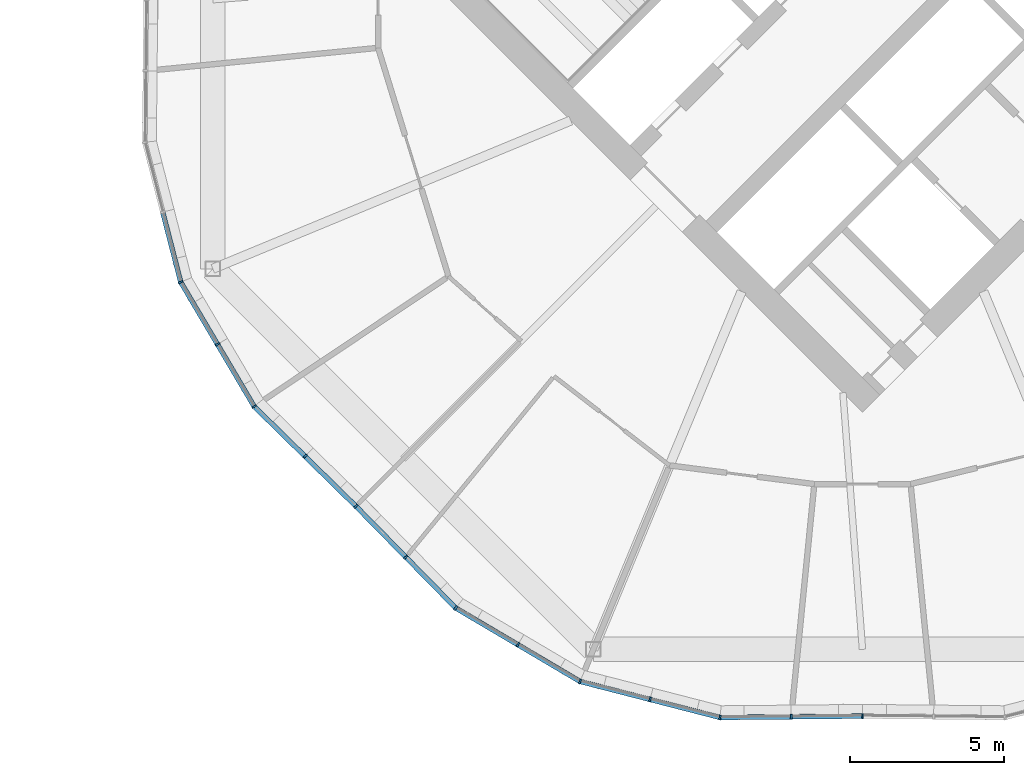
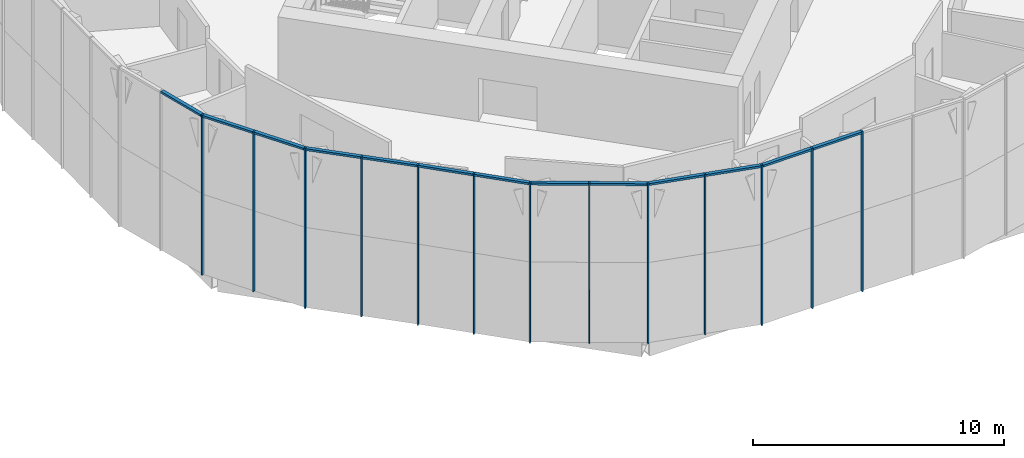
# One storey, part 10 of 31: 26 members, 2 elements without a shape of their own.
"""IFC4 building model written with IfcOpenShell, lengths in metres."""

from ifc_helpers import new_model, si_unit, direction, frame, origin, origin_2d, place, context, subcontext, project, spatial, rectangle, extrude, material, material_profile, profile_set, type_object, element, aggregate, save


model = new_model("IFC4")

# Units and contexts
model_context = context("Model", 3, precision=1e-05, world=origin(), true_north=direction((0.0, 1.0)))
body_context = subcontext(model_context, "Body", "Model", "MODEL_VIEW")
ifc_project = project(units=[si_unit("LENGTHUNIT", "METRE"), si_unit("AREAUNIT", "SQUARE_METRE"), si_unit("VOLUMEUNIT", "CUBIC_METRE"), si_unit("PLANEANGLEUNIT", "RADIAN"), si_unit("MASSUNIT", "GRAM", prefix="KILO")], contexts=[model_context])

# Site, building, storey
site_placement = place(None, origin())
site = spatial("IfcSite", under=ifc_project, at=site_placement, CompositionType="ELEMENT")
building_placement = place(site_placement, origin())
building = spatial("IfcBuilding", under=site, at=building_placement, Name="Ogive Gate Towers", CompositionType="ELEMENT")
storey_placement = place(building_placement, frame((0.0, 0.0, 63.60009765625)))
storey = spatial("IfcBuildingStorey", under=building, at=storey_placement, Name="L14", CompositionType="ELEMENT", Elevation=63.60009765625)

# Curtain wall, members
ifc_material = material(Name="Pale metal aluminium", Category="aluminium")
curtain_wall_type = type_object("IfcCurtainWallType", Name="Tower unitised wall, low zone", PredefinedType="NOTDEFINED", material=ifc_material)
curtain_wall_1_placement = place(storey_placement, origin())
curtain_wall_1 = element("IfcCurtainWall", 1, at=curtain_wall_1_placement, inside=storey, type_object=curtain_wall_type, Name="CW1 T2 ECW06", PredefinedType="NOTDEFINED")
ifc_material_profile_1 = material_profile(ifc_material, rectangle(XDim=0.159912109375, YDim=0.06005859375, at=origin_2d()), Name="60 x 160 aluminium box")
ifc_profile_set_1 = profile_set([ifc_material_profile_1], Name="Pale metal aluminium")
member_type_1 = type_object("IfcMemberType", Name="Tower unitised wall, low zone mullion 60 x 160", PredefinedType="MULLION", material=ifc_profile_set_1)
member_1_placement = place(storey_placement, frame((19.50341796875, -16.4970703125, -0.300048828125), z_axis=(0.0, 0.0, 1.0), x_axis=(0.700299028189, 0.713849613797, 0.0)))
member_1 = element("IfcMember", 2, at=member_1_placement, type_object=member_type_1, Name="CW1 mullion", PredefinedType="MULLION", context=body_context, shape_type="SweptSolid", body=[
    extrude(rectangle(XDim=0.159912109375, YDim=0.06005859375, at=origin_2d()), origin(), (0.0, 0.0, 1.0), 7.800048828125),
])
member_2_placement = place(storey_placement, frame((17.847900390625, -14.873046875, -0.300048828125), z_axis=(0.0, 0.0, 1.0), x_axis=(0.700299028189, 0.713849613797, 0.0)))
member_2 = element("IfcMember", 3, at=member_2_placement, type_object=member_type_1, Name="CW1 mullion", PredefinedType="MULLION", context=body_context, shape_type="SweptSolid", body=[
    extrude(rectangle(XDim=0.159912109375, YDim=0.06005859375, at=origin_2d()), origin(), (0.0, 0.0, 1.0), 7.800048828125),
])
member_3_placement = place(storey_placement, frame((16.190673828125, -13.2470703125, -0.300048828125), z_axis=(0.0, 0.0, 1.0), x_axis=(0.787387121413, 0.616458855912, 0.0)))
member_3 = element("IfcMember", 4, at=member_3_placement, type_object=member_type_1, Name="CW1 mullion", PredefinedType="MULLION", context=body_context, shape_type="SweptSolid", body=[
    extrude(rectangle(XDim=0.159912109375, YDim=0.06005859375, at=origin_2d()), origin(), (0.0, 0.0, 1.0), 7.800048828125),
])
member_4_placement = place(storey_placement, frame((14.994384765625, -11.221923828125, -0.300048828125), z_axis=(0.0, 0.0, 1.0), x_axis=(0.86103507103, 0.508545579527, 0.0)))
member_4 = element("IfcMember", 5, at=member_4_placement, type_object=member_type_1, Name="CW1 mullion", PredefinedType="MULLION", context=body_context, shape_type="SweptSolid", body=[
    extrude(rectangle(XDim=0.159912109375, YDim=0.06005859375, at=origin_2d()), origin(), (0.0, 0.0, 1.0), 7.800048828125),
])
member_5_placement = place(storey_placement, frame((13.798095703125, -9.1962890625, -0.300048828125), z_axis=(0.0, 0.0, 1.0), x_axis=(0.923879532511, 0.382683432365, 0.0)))
member_5 = element("IfcMember", 6, at=member_5_placement, type_object=member_type_1, Name="CW1 mullion", PredefinedType="MULLION", context=body_context, shape_type="SweptSolid", body=[
    extrude(rectangle(XDim=0.159912109375, YDim=0.06005859375, at=origin_2d()), origin(), (0.0, 0.0, 1.0), 7.800048828125),
])

curtain_wall_2_placement = place(storey_placement, origin())
curtain_wall_2 = element("IfcCurtainWall", 7, at=curtain_wall_2_placement, inside=storey, type_object=curtain_wall_type, Name="CW1 T2 ECW07", PredefinedType="NOTDEFINED")
member_6_placement = place(storey_placement, frame((36.000244140625, -23.330078125, -0.300048828125), z_axis=(0.0, 0.0, 1.0), x_axis=(-0.009616615949, 0.99995375928, 0.0)))
member_6 = element("IfcMember", 8, at=member_6_placement, type_object=member_type_1, Name="CW1 mullion", PredefinedType="MULLION", context=body_context, shape_type="SweptSolid", body=[
    extrude(rectangle(XDim=0.159912109375, YDim=0.06005859375, at=origin_2d()), origin(), (0.0, 0.0, 1.0), 7.800048828125),
])
member_7_placement = place(storey_placement, frame((33.681396484375, -23.352294921875, -0.300048828125), z_axis=(0.0, 0.0, 1.0), x_axis=(-0.009599163462, 0.999953926969, 0.0)))
member_7 = element("IfcMember", 9, at=member_7_placement, type_object=member_type_1, Name="CW1 mullion", PredefinedType="MULLION", context=body_context, shape_type="SweptSolid", body=[
    extrude(rectangle(XDim=0.159912109375, YDim=0.06005859375, at=origin_2d()), origin(), (0.0, 0.0, 1.0), 7.800048828125),
])
member_8_placement = place(storey_placement, frame((31.35986328125, -23.37451171875, -0.300048828125), z_axis=(0.0, 0.0, 1.0), x_axis=(0.120864535632, 0.992669010308, 0.0)))
member_8 = element("IfcMember", 10, at=member_8_placement, type_object=member_type_1, Name="CW1 mullion", PredefinedType="MULLION", context=body_context, shape_type="SweptSolid", body=[
    extrude(rectangle(XDim=0.159912109375, YDim=0.06005859375, at=origin_2d()), origin(), (0.0, 0.0, 1.0), 7.800048828125),
])
member_9_placement = place(storey_placement, frame((29.081787109375, -22.788330078125, -0.300048828125), z_axis=(0.0, 0.0, 1.0), x_axis=(0.249247709738, 0.968439765391, 0.0)))
member_9 = element("IfcMember", 11, at=member_9_placement, type_object=member_type_1, Name="CW1 mullion", PredefinedType="MULLION", context=body_context, shape_type="SweptSolid", body=[
    extrude(rectangle(XDim=0.159912109375, YDim=0.06005859375, at=origin_2d()), origin(), (0.0, 0.0, 1.0), 7.800048828125),
])
member_10_placement = place(storey_placement, frame((26.8037109375, -22.201904296875, -0.300048828125), z_axis=(0.0, 0.0, 1.0), x_axis=(0.382683432365, 0.923879532511, 0.0)))
member_10 = element("IfcMember", 12, at=member_10_placement, type_object=member_type_1, Name="CW1 mullion", PredefinedType="MULLION", context=body_context, shape_type="SweptSolid", body=[
    extrude(rectangle(XDim=0.159912109375, YDim=0.06005859375, at=origin_2d()), origin(), (0.0, 0.0, 1.0), 7.800048828125),
])
member_11_placement = place(storey_placement, frame((24.778076171875, -21.005615234375, -0.300048828125), z_axis=(0.0, 0.0, 1.0), x_axis=(0.508545579527, 0.86103507103, 0.0)))
member_11 = element("IfcMember", 13, at=member_11_placement, type_object=member_type_1, Name="CW1 mullion", PredefinedType="MULLION", context=body_context, shape_type="SweptSolid", body=[
    extrude(rectangle(XDim=0.159912109375, YDim=0.06005859375, at=origin_2d()), origin(), (0.0, 0.0, 1.0), 7.800048828125),
])
member_12_placement = place(storey_placement, frame((22.7529296875, -19.809326171875, -0.300048828125), z_axis=(0.0, 0.0, 1.0), x_axis=(0.616458855912, 0.787387121413, 0.0)))
member_12 = element("IfcMember", 14, at=member_12_placement, type_object=member_type_1, Name="CW1 mullion", PredefinedType="MULLION", context=body_context, shape_type="SweptSolid", body=[
    extrude(rectangle(XDim=0.159912109375, YDim=0.06005859375, at=origin_2d()), origin(), (0.0, 0.0, 1.0), 7.800048828125),
])
member_13_placement = place(storey_placement, frame((21.126953125, -18.152099609375, -0.300048828125), z_axis=(0.0, 0.0, 1.0), x_axis=(0.713849613797, 0.700299028189, 0.0)))
member_13 = element("IfcMember", 15, at=member_13_placement, type_object=member_type_1, Name="CW1 mullion", PredefinedType="MULLION", context=body_context, shape_type="SweptSolid", body=[
    extrude(rectangle(XDim=0.159912109375, YDim=0.06005859375, at=origin_2d()), origin(), (0.0, 0.0, 1.0), 7.800048828125),
])

# Member
ifc_material_profile_2 = material_profile(ifc_material, rectangle(XDim=0.159912109375, YDim=0.10009765625, at=origin_2d()), Name="100 x 160 aluminium box")
ifc_profile_set_2 = profile_set([ifc_material_profile_2], Name="Pale metal aluminium")
member_type_2 = type_object("IfcMemberType", Name="Tower unitised wall, low zone transom 100 x 160", PredefinedType="USERDEFINED", material=ifc_profile_set_2)
member_14_placement = place(storey_placement, frame((19.48193359375, -16.47607421875, 7.449951171875), z_axis=(-0.713829147269, 0.700319890129, 0.0), x_axis=(-0.700319890129, -0.713829147269, 0.0)))
member_14 = element("IfcMember", 16, at=member_14_placement, type_object=member_type_2, Name="CW1 transom", ObjectType="TRANSOM", PredefinedType="USERDEFINED", context=body_context, shape_type="SweptSolid", body=[
    extrude(rectangle(XDim=0.159912109375, YDim=0.10009765625, at=origin_2d()), origin(), (0.0, 0.0, 1.0), 2.259033203125),
])

member_15_placement = place(storey_placement, frame((17.826416015625, -14.85205078125, 7.449951171875), z_axis=(-0.713829147269, 0.700319890129, 0.0), x_axis=(-0.700319890129, -0.713829147269, 0.0)))
member_15 = element("IfcMember", 17, at=member_15_placement, type_object=member_type_2, Name="CW1 transom", ObjectType="TRANSOM", PredefinedType="USERDEFINED", context=body_context, shape_type="SweptSolid", body=[
    extrude(rectangle(XDim=0.159912109375, YDim=0.10009765625, at=origin_2d()), origin(), (0.0, 0.0, 1.0), 2.259033203125),
])

member_16_placement = place(storey_placement, frame((16.173828125, -13.218994140625, 7.449951171875), z_axis=(-0.508571220017, 0.861019926697, 0.0), x_axis=(-0.861019926697, -0.508571220017, 0.0)))
member_16 = element("IfcMember", 18, at=member_16_placement, type_object=member_type_2, Name="CW1 transom", ObjectType="TRANSOM", PredefinedType="USERDEFINED", context=body_context, shape_type="SweptSolid", body=[
    extrude(rectangle(XDim=0.159912109375, YDim=0.10009765625, at=origin_2d()), origin(), (0.0, 0.0, 1.0), 2.289306640625),
])

member_17_placement = place(storey_placement, frame((14.97900390625, -11.196044921875, 7.449951171875), z_axis=(-0.508524526508, 0.861047505043, 0.0), x_axis=(-0.861047505043, -0.508524526508, 0.0)))
member_17 = element("IfcMember", 19, at=member_17_placement, type_object=member_type_2, Name="CW1 transom", ObjectType="TRANSOM", PredefinedType="USERDEFINED", context=body_context, shape_type="SweptSolid", body=[
    extrude(rectangle(XDim=0.159912109375, YDim=0.10009765625, at=origin_2d()), origin(), (0.0, 0.0, 1.0), 2.28955078125),
])

member_18_placement = place(storey_placement, frame((13.789794921875, -9.16455078125, 7.449951171875), z_axis=(-0.249203926839, 0.968451032757, 0.0), x_axis=(-0.968451032757, -0.249203926839, 0.0)))
member_18 = element("IfcMember", 20, at=member_18_placement, type_object=member_type_2, Name="CW1 transom", ObjectType="TRANSOM", PredefinedType="USERDEFINED", context=body_context, shape_type="SweptSolid", body=[
    extrude(rectangle(XDim=0.159912109375, YDim=0.10009765625, at=origin_2d()), origin(), (0.0, 0.0, 1.0), 2.28955078125),
])

aggregate(curtain_wall_1, [member_1, member_2, member_14, member_3, member_15, member_4, member_16, member_5, member_17, member_18])

member_19_placement = place(storey_placement, frame((35.97021484375, -23.330322265625, 7.449951171875), z_axis=(-0.999953745418, -0.009618057208, 0.0), x_axis=(0.009618057208, -0.999953745418, 0.0)))
member_19 = element("IfcMember", 21, at=member_19_placement, type_object=member_type_2, Name="CW1 transom", ObjectType="TRANSOM", PredefinedType="USERDEFINED", context=body_context, shape_type="SweptSolid", body=[
    extrude(rectangle(XDim=0.159912109375, YDim=0.10009765625, at=origin_2d()), origin(), (0.0, 0.0, 1.0), 2.259033203125),
])

member_20_placement = place(storey_placement, frame((33.6513671875, -23.3525390625, 7.449951171875), z_axis=(-0.999953745418, -0.009618057208, 0.0), x_axis=(0.009618057208, -0.999953745418, 0.0)))
member_20 = element("IfcMember", 22, at=member_20_placement, type_object=member_type_2, Name="CW1 transom", ObjectType="TRANSOM", PredefinedType="USERDEFINED", context=body_context, shape_type="SweptSolid", body=[
    extrude(rectangle(XDim=0.159912109375, YDim=0.10009765625, at=origin_2d()), origin(), (0.0, 0.0, 1.0), 2.259033203125),
])

member_21_placement = place(storey_placement, frame((31.328125, -23.366455078125, 7.449951171875), z_axis=(-0.968425293008, 0.249303934712, 0.0), x_axis=(-0.249303934712, -0.968425293008, 0.0)))
member_21 = element("IfcMember", 23, at=member_21_placement, type_object=member_type_2, Name="CW1 transom", ObjectType="TRANSOM", PredefinedType="USERDEFINED", context=body_context, shape_type="SweptSolid", body=[
    extrude(rectangle(XDim=0.159912109375, YDim=0.10009765625, at=origin_2d()), origin(), (0.0, 0.0, 1.0), 2.28955078125),
])

member_22_placement = place(storey_placement, frame((29.052734375, -22.78076171875, 7.449951171875), z_axis=(-0.968451032757, 0.249203926839, 0.0), x_axis=(-0.249203926839, -0.968451032757, 0.0)))
member_22 = element("IfcMember", 24, at=member_22_placement, type_object=member_type_2, Name="CW1 transom", ObjectType="TRANSOM", PredefinedType="USERDEFINED", context=body_context, shape_type="SweptSolid", body=[
    extrude(rectangle(XDim=0.159912109375, YDim=0.10009765625, at=origin_2d()), origin(), (0.0, 0.0, 1.0), 2.28955078125),
])

member_23_placement = place(storey_placement, frame((26.775390625, -22.185302734375, 7.449951171875), z_axis=(-0.861047505043, 0.508524526508, 0.0), x_axis=(-0.508524526508, -0.861047505043, 0.0)))
member_23 = element("IfcMember", 25, at=member_23_placement, type_object=member_type_2, Name="CW1 transom", ObjectType="TRANSOM", PredefinedType="USERDEFINED", context=body_context, shape_type="SweptSolid", body=[
    extrude(rectangle(XDim=0.159912109375, YDim=0.10009765625, at=origin_2d()), origin(), (0.0, 0.0, 1.0), 2.28955078125),
])

member_24_placement = place(storey_placement, frame((24.752197265625, -20.990478515625, 7.449951171875), z_axis=(-0.861019926697, 0.508571220017, 0.0), x_axis=(-0.508571220017, -0.861019926697, 0.0)))
member_24 = element("IfcMember", 26, at=member_24_placement, type_object=member_type_2, Name="CW1 transom", ObjectType="TRANSOM", PredefinedType="USERDEFINED", context=body_context, shape_type="SweptSolid", body=[
    extrude(rectangle(XDim=0.159912109375, YDim=0.10009765625, at=origin_2d()), origin(), (0.0, 0.0, 1.0), 2.289306640625),
])

member_25_placement = place(storey_placement, frame((22.72998046875, -19.7861328125, 7.449951171875), z_axis=(-0.700319890129, 0.713829147269, 0.0), x_axis=(-0.713829147269, -0.700319890129, 0.0)))
member_25 = element("IfcMember", 27, at=member_25_placement, type_object=member_type_2, Name="CW1 transom", ObjectType="TRANSOM", PredefinedType="USERDEFINED", context=body_context, shape_type="SweptSolid", body=[
    extrude(rectangle(XDim=0.159912109375, YDim=0.10009765625, at=origin_2d()), origin(), (0.0, 0.0, 1.0), 2.259033203125),
])

member_26_placement = place(storey_placement, frame((21.10595703125, -18.130615234375, 7.449951171875), z_axis=(-0.700319890129, 0.713829147269, 0.0), x_axis=(-0.713829147269, -0.700319890129, 0.0)))
member_26 = element("IfcMember", 28, at=member_26_placement, type_object=member_type_2, Name="CW1 transom", ObjectType="TRANSOM", PredefinedType="USERDEFINED", context=body_context, shape_type="SweptSolid", body=[
    extrude(rectangle(XDim=0.159912109375, YDim=0.10009765625, at=origin_2d()), origin(), (0.0, 0.0, 1.0), 2.259033203125),
])

aggregate(curtain_wall_2, [member_6, member_7, member_19, member_8, member_20, member_9, member_21, member_10, member_22, member_11, member_23, member_12, member_24, member_13, member_25, member_26])

save(model, "model.ifc")
